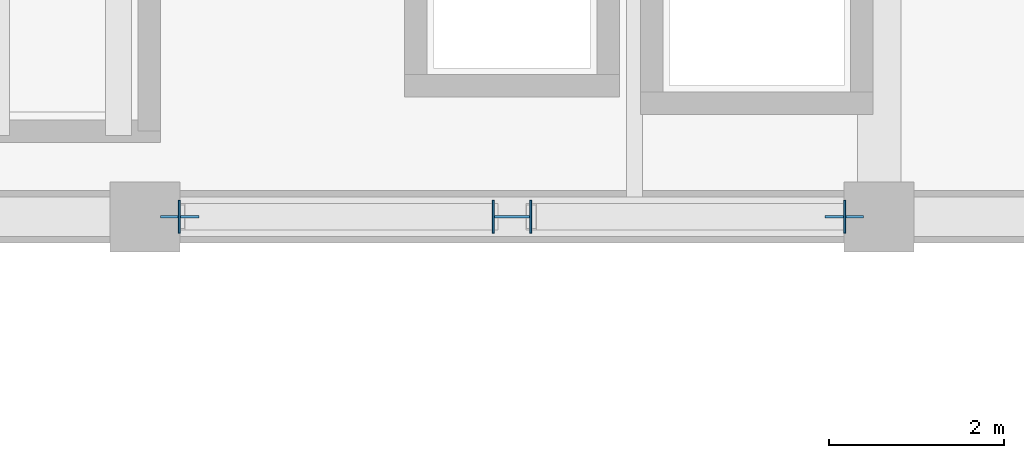
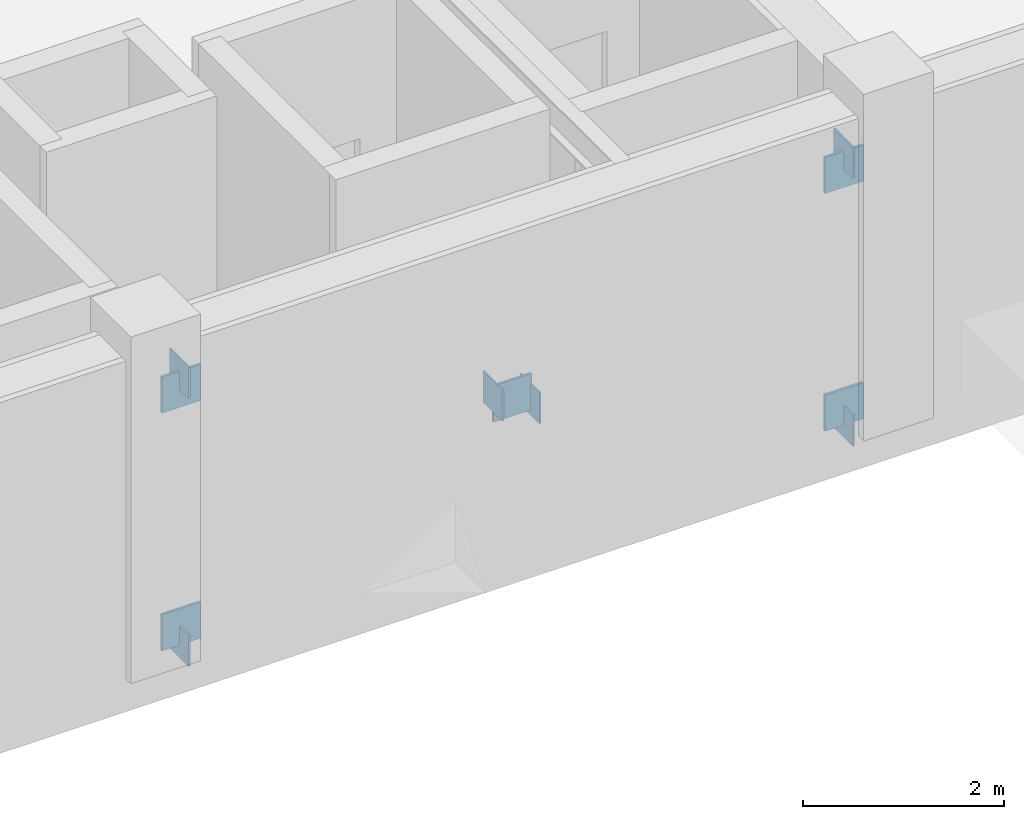
# One storey, part 32 of 63: 11 plates.
"""IFC4 building model written with IfcOpenShell, lengths in metres."""

from ifc_helpers import new_model, si_unit, direction, frame, origin, origin_2d, place, context, subcontext, project, spatial, rectangle, extrude, material, layer, layer_set, type_object, element, save


model = new_model("IFC4")

# Units and contexts
model_context = context("Model", 3, precision=1e-05, world=origin(), true_north=direction((0.0, 1.0)))
body_context = subcontext(model_context, "Body", "Model", "MODEL_VIEW")
ifc_project = project(units=[si_unit("LENGTHUNIT", "METRE"), si_unit("AREAUNIT", "SQUARE_METRE"), si_unit("VOLUMEUNIT", "CUBIC_METRE"), si_unit("PLANEANGLEUNIT", "RADIAN"), si_unit("MASSUNIT", "GRAM", prefix="KILO")], contexts=[model_context])

# Site, building, storey
site_placement = place(None, origin())
site = spatial("IfcSite", under=ifc_project, at=site_placement, CompositionType="ELEMENT")
building_placement = place(site_placement, origin())
building = spatial("IfcBuilding", under=site, at=building_placement, Name="Cumbredor Promenade Congress Hotel", CompositionType="ELEMENT")
storey_placement = place(building_placement, frame((0.0, 0.0, -4.199951171875)))
storey = spatial("IfcBuildingStorey", under=building, at=storey_placement, Name="B01", CompositionType="ELEMENT", Elevation=-4.199951171875)

# Plates
ifc_material = material(Name="Steel ASTM A572 Grade 50", Category="steel")
ifc_layer_1 = layer(ifc_material, 0.02001953125, Name="Steel ASTM A572 Grade 50", Category="steel")
ifc_layer_set_1 = layer_set([ifc_layer_1], Name="Steel ASTM A572 Grade 50")
plate_type_1 = type_object("IfcPlateType", Name="Hollow Section End Cap Plate CP-04", PredefinedType="USERDEFINED", material=ifc_layer_set_1)
for number, where, z_axis, x_axis, name in (
    (1, (151.592529296875, 8.39990234375, -0.193115234375), (0.0, 0.0, 1.0), (1.0, 0.0, 0.0), "B01 X-Brace Continuous Diagonal 7A Start Cap Plate"),
    (2, (159.207275390625, 8.39990234375, 3.05322265625), (0.0, 0.0, 1.0), (1.0, 0.0, 0.0), "B01 X-Brace Continuous Diagonal 7A End Cap Plate"),
    (3, (159.207275390625, 8.39990234375, -0.193115234375), (0.0, 0.0, 1.0), (-1.0, 0.0, 0.0), "B01 X-Brace Lower Split Diagonal 7B1 Start Cap Plate"),
    (4, (155.613525390625, 8.39990234375, 1.339111328125), (0.0, 0.0, 1.0), (-1.0, 0.0, 0.0), "B01 X-Brace Lower Split Diagonal 7B1 End Cap Plate"),
    (5, (155.1865234375, 8.39990234375, 1.52099609375), (0.0, 0.0, 1.0), (-1.0, 0.0, 0.0), "B01 X-Brace Upper Split Diagonal 7B2 Start Cap Plate"),
    (6, (151.592529296875, 8.39990234375, 3.05322265625), (0.0, 0.0, 1.0), (-1.0, 0.0, 0.0), "B01 X-Brace Upper Split Diagonal 7B2 End Cap Plate"),
):
    element("IfcPlate", number, at=place(storey_placement, frame(where, z_axis=z_axis, x_axis=x_axis)), inside=storey, type_object=plate_type_1, Name=name, ObjectType="CAP PLATE", PredefinedType="USERDEFINED", context=body_context, shape_type="SweptSolid", body=[
        extrude(rectangle(XDim=0.02001953125, YDim=0.3798828125, at=origin_2d()), origin(), (0.0, 0.0, 1.0), 0.3798828125),
    ])
ifc_layer_2 = layer(ifc_material, 0.028076171875, Name="Steel ASTM A572 Grade 50", Category="steel")
ifc_layer_set_2 = layer_set([ifc_layer_2], Name="Steel ASTM A572 Grade 50")
plate_type_2 = type_object("IfcPlateType", Name="Space Frame Node Assembly ND-03", PredefinedType="USERDEFINED", material=ifc_layer_set_2)
for number, where, z_axis, x_axis, name in (
    (7, (151.60009765625, 8.39990234375, -0.0400390625), (0.0, 0.0, 1.0), (1.0, 0.0, 0.0), "B01 Seismic Frame Gusset Plate 7-BL"),
    (8, (159.199951171875, 8.39990234375, -0.0400390625), (0.0, 0.0, 1.0), (1.0, 0.0, 0.0), "B01 Seismic Frame Gusset Plate 7-BR"),
    (9, (151.60009765625, 8.39990234375, 2.840087890625), (0.0, 0.0, 1.0), (1.0, 0.0, 0.0), "B01 Seismic Frame Gusset Plate 7-TL"),
    (10, (159.199951171875, 8.39990234375, 2.840087890625), (0.0, 0.0, 1.0), (1.0, 0.0, 0.0), "B01 Seismic Frame Gusset Plate 7-TR"),
    (11, (155.39990234375, 8.39990234375, 1.39990234375), (0.0, 0.0, 1.0), (1.0, 0.0, 0.0), "B01 X-Brace Central Crossing Gusset Plate 7"),
):
    element("IfcPlate", number, at=place(storey_placement, frame(where, z_axis=z_axis, x_axis=x_axis)), inside=storey, type_object=plate_type_2, Name=name, ObjectType="GUSSET PLATE", PredefinedType="USERDEFINED", context=body_context, shape_type="SweptSolid", body=[
        extrude(rectangle(XDim=0.43994140625, YDim=0.028076171875, at=origin_2d()), origin(), (0.0, 0.0, 1.0), 0.43994140625),
    ])

save(model, "model.ifc")
